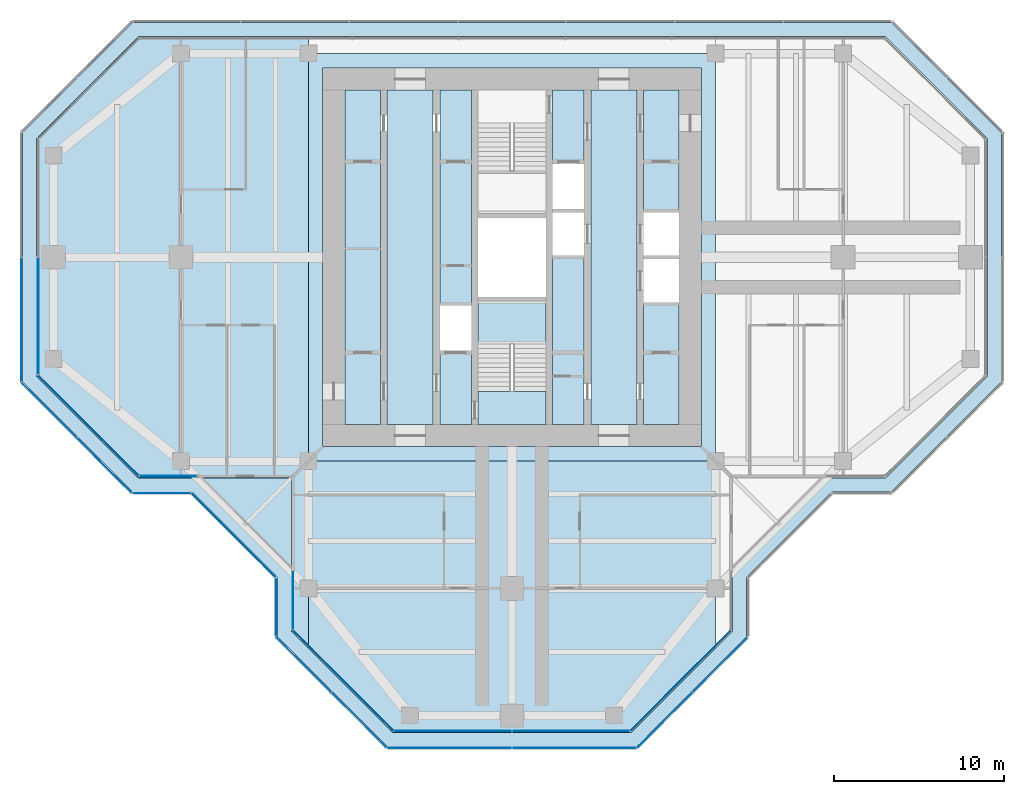
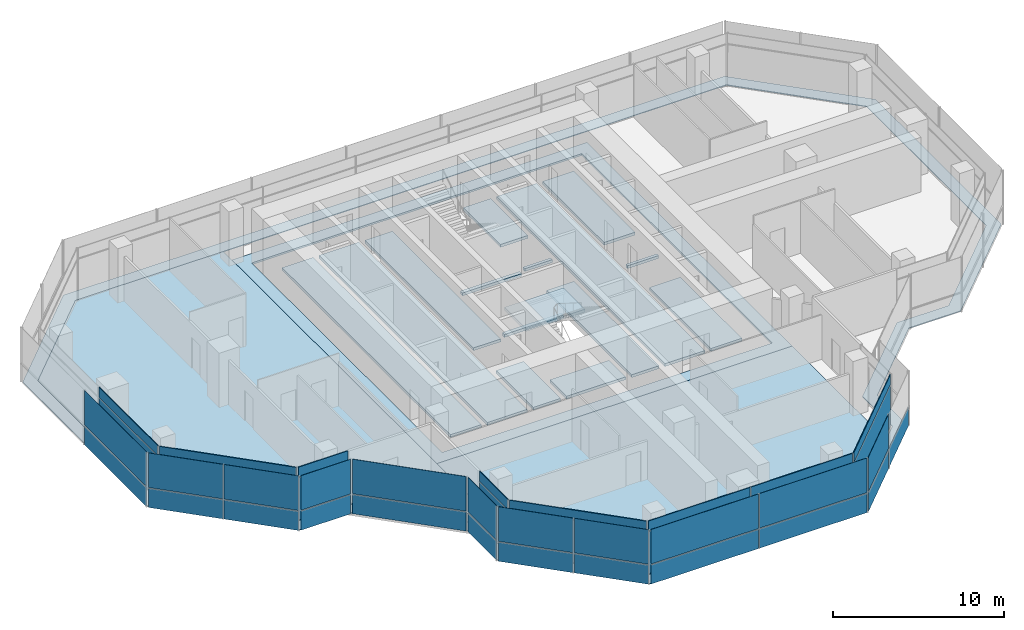
# One storey, part 9 of 16: 40 plates, 7 slabs, 16 elements without a shape of their own.
"""IFC4 building model written with IfcOpenShell, lengths in metres."""

from ifc_helpers import new_model, si_unit, direction, frame, origin, origin_2d, place, context, subcontext, project, spatial, polyline, rectangle, outline, extrude, material, layer, layer_set, type_object, element, aggregate, save


model = new_model("IFC4")

# Units and contexts
model_context = context("Model", 3, precision=1e-05, world=origin(), true_north=direction((0.0, 1.0)))
body_context = subcontext(model_context, "Body", "Model", "MODEL_VIEW")
ifc_project = project(units=[si_unit("LENGTHUNIT", "METRE"), si_unit("AREAUNIT", "SQUARE_METRE"), si_unit("VOLUMEUNIT", "CUBIC_METRE"), si_unit("PLANEANGLEUNIT", "RADIAN"), si_unit("MASSUNIT", "GRAM", prefix="KILO")], contexts=[model_context])

# Site, building, storey
site_placement = place(None, origin())
site = spatial("IfcSite", under=ifc_project, at=site_placement, CompositionType="ELEMENT")
building_placement = place(site_placement, origin())
building = spatial("IfcBuilding", under=site, at=building_placement, Name="Mizan Broadcast Tower", CompositionType="ELEMENT")
storey_placement = place(building_placement, frame((0.0, 0.0, 294.60009765625)))
storey = spatial("IfcBuildingStorey", under=building, at=storey_placement, Name="L70", CompositionType="ELEMENT", Elevation=294.60009765625)

# Plate
ifc_material_1 = material(Name="Aluminium grating", Category="aluminium")
ifc_layer_1 = layer(ifc_material_1, 0.050048828125)
ifc_layer_set_1 = layer_set([ifc_layer_1], Name="Aluminium grating")
plate_type_1 = type_object("IfcPlateType", Name="CAVITY GRATING", PredefinedType="USERDEFINED", material=ifc_layer_set_1)
plate_1_placement = place(storey_placement, frame((0.0, 0.0, -0.050048828125)))
element("IfcPlate", 1, at=plate_1_placement, inside=storey, type_object=plate_type_1, Name="Cavity grating L70", ObjectType="GRATING", PredefinedType="USERDEFINED", context=body_context, shape_type="SweptSolid", body=[
    extrude(outline(polyline([(-22.339599609375, 13.820068359375), (-28.820068359375, 7.339599609375), (-28.820068359375, -7.339599609375), (-22.339599609375, -13.820068359375), (-18.839599609375, -13.820068359375), (-13.820068359375, -18.839599609375), (-13.820068359375, -22.339599609375), (-7.339599609375, -28.820068359375), (7.339599609375, -28.820068359375), (13.820068359375, -22.339599609375), (13.820068359375, -18.839599609375), (18.839599609375, -13.820068359375), (22.339599609375, -13.820068359375), (28.820068359375, -7.339599609375), (28.820068359375, 7.339599609375), (22.339599609375, 13.820068359375), (-22.339599609375, 13.820068359375)]), holes=[polyline([(-18.5, -13.0), (-22.0, -13.0), (-28.0, -7.0), (-28.0, 7.0), (-22.0, 13.0), (22.0, 13.0), (28.0, 7.0), (28.0, -7.0), (22.0, -13.0), (18.5, -13.0), (13.0, -18.5), (13.0, -22.0), (7.0, -28.0), (-7.0, -28.0), (-13.0, -22.0), (-13.0, -18.5), (-18.5, -13.0)])]), origin(), (0.0, 0.0, 1.0), 0.050048828125),
])

# Slabs
ifc_material_2 = material(Name="Concrete C32/40", Category="concrete")
ifc_layer_2 = layer(ifc_material_2, 0.1298828125)
ifc_layer_set_2 = layer_set([ifc_layer_2], Name="Concrete C32/40")
slab_type_1 = type_object("IfcSlabType", Name="COMPOSITE DECK SLAB 130", PredefinedType="FLOOR", material=ifc_layer_set_2)
slab_1_placement = place(storey_placement, frame((0.0, 0.0, -0.130126953125)))
element("IfcSlab", 2, at=slab_1_placement, inside=storey, type_object=slab_type_1, Name="Floor slab L70 centre", PredefinedType="FLOOR", context=body_context, shape_type="SweptSolid", body=[
    extrude(outline(polyline([(-12.0, -12.0), (12.0, -12.0), (12.0, 12.0), (-12.0, 12.0), (-12.0, -12.0)]), holes=[polyline([(-11.14990234375, 11.14990234375), (11.14990234375, 11.14990234375), (11.14990234375, -11.14990234375), (-11.14990234375, -11.14990234375), (-11.14990234375, 11.14990234375)])]), origin(), (0.0, 0.0, 1.0), 0.130126953125),
])
slab_2_placement = place(storey_placement, frame((0.0, 0.0, -0.130126953125)))
element("IfcSlab", 3, at=slab_2_placement, inside=storey, type_object=slab_type_1, Name="Floor slab L70 west arm", PredefinedType="FLOOR", context=body_context, shape_type="SweptSolid", body=[
    extrude(outline(polyline([(-13.0, -22.0), (-12.0, -23.0), (-12.0, 13.0), (-13.0, 13.0), (-22.0, 13.0), (-28.0, 7.0), (-28.0, -7.0), (-22.0, -13.0), (-13.0, -13.0), (-13.0, -22.0)])), origin(), (0.0, 0.0, 1.0), 0.130126953125),
])
slab_3_placement = place(storey_placement, frame((0.0, 0.0, -0.130126953125)))
element("IfcSlab", 4, at=slab_3_placement, inside=storey, type_object=slab_type_1, Name="Floor slab L70 south arm", PredefinedType="FLOOR", context=body_context, shape_type="SweptSolid", body=[
    extrude(outline(polyline([(7.0, -28.0), (12.0, -23.0), (12.0, -12.0), (-12.0, -12.0), (-12.0, -23.0), (-7.0, -28.0), (7.0, -28.0)])), origin(), (0.0, 0.0, 1.0), 0.130126953125),
])
ifc_material_3 = material(Name="Concrete C40/50", Category="concrete")
ifc_layer_3 = layer(ifc_material_3, 0.199951171875)
ifc_layer_set_3 = layer_set([ifc_layer_3], Name="Concrete C40/50")
slab_type_2 = type_object("IfcSlabType", Name="CORE FLOOR 200", PredefinedType="FLOOR", material=ifc_layer_set_3)
slab_4_placement = place(storey_placement, frame((0.0, 0.0, -0.2001953125)))
element("IfcSlab", 5, at=slab_4_placement, inside=storey, type_object=slab_type_2, Name="Core floor L70", PredefinedType="FLOOR", context=body_context, shape_type="SweptSolid", body=[
    extrude(outline(polyline([(-9.85009765625, -9.85009765625), (-7.75, -9.85009765625), (-7.75, 9.85009765625), (-9.85009765625, 9.85009765625), (-9.85009765625, -9.85009765625)])), origin(), (0.0, 0.0, 1.0), 0.2001953125),
    extrude(outline(polyline([(-4.64990234375, 9.85009765625), (-7.35009765625, 9.85009765625), (-7.35009765625, -9.85009765625), (-4.64990234375, -9.85009765625), (-4.64990234375, 9.85009765625)])), origin(), (0.0, 0.0, 1.0), 0.2001953125),
    extrude(outline(polyline([(-4.25, -5.5), (-4.25, -9.85009765625), (-2.39990234375, -9.85009765625), (-2.39990234375, -5.5), (-4.25, -5.5)])), origin(), (0.0, 0.0, 1.0), 0.2001953125),
    extrude(outline(polyline([(-4.25, -2.85009765625), (-2.39990234375, -2.85009765625), (-2.39990234375, 9.85009765625), (-4.25, 9.85009765625), (-4.25, -2.85009765625)])), origin(), (0.0, 0.0, 1.0), 0.2001953125),
    extrude(outline(polyline([(2.0, -2.324951171875), (-2.0, -2.324951171875), (-2.0, -2.574951171875), (2.0, -2.574951171875), (2.0, -2.324951171875)])), origin(), (0.0, 0.0, 1.0), 0.2001953125),
    extrude(outline(polyline([(2.0, 2.574951171875), (-2.0, 2.574951171875), (-2.0, 2.324951171875), (2.0, 2.324951171875), (2.0, 2.574951171875)])), origin(), (0.0, 0.0, 1.0), 0.2001953125),
    extrude(outline(polyline([(4.25, -9.85009765625), (4.25, 0.10009765625), (2.39990234375, 0.10009765625), (2.39990234375, -9.85009765625), (4.25, -9.85009765625)])), origin(), (0.0, 0.0, 1.0), 0.2001953125),
    extrude(outline(polyline([(4.25, 2.64990234375), (4.25, 2.85009765625), (2.39990234375, 2.85009765625), (2.39990234375, 2.64990234375), (4.25, 2.64990234375)])), origin(), (0.0, 0.0, 1.0), 0.2001953125),
    extrude(outline(polyline([(4.25, 5.5), (4.25, 9.85009765625), (2.39990234375, 9.85009765625), (2.39990234375, 5.5), (4.25, 5.5)])), origin(), (0.0, 0.0, 1.0), 0.2001953125),
    extrude(outline(polyline([(4.64990234375, 9.85009765625), (4.64990234375, -9.85009765625), (7.35009765625, -9.85009765625), (7.35009765625, 9.85009765625), (4.64990234375, 9.85009765625)])), origin(), (0.0, 0.0, 1.0), 0.2001953125),
    extrude(outline(polyline([(9.85009765625, -9.85009765625), (9.85009765625, -2.64990234375), (7.75, -2.64990234375), (7.75, -9.85009765625), (9.85009765625, -9.85009765625)])), origin(), (0.0, 0.0, 1.0), 0.2001953125),
    extrude(outline(polyline([(9.85009765625, -0.10009765625), (9.85009765625, 0.10009765625), (7.75, 0.10009765625), (7.75, -0.10009765625), (9.85009765625, -0.10009765625)])), origin(), (0.0, 0.0, 1.0), 0.2001953125),
    extrude(outline(polyline([(7.75, 9.85009765625), (7.75, 2.64990234375), (9.85009765625, 2.64990234375), (9.85009765625, 9.85009765625), (7.75, 9.85009765625)])), origin(), (0.0, 0.0, 1.0), 0.2001953125),
])

# Curtain wall, plate
ifc_material_4 = material(Name="Aluminium framed glazing", Category="aluminium")
curtain_wall_type_1 = type_object("IfcCurtainWallType", Name="INNER SKIN TOP ZONE", PredefinedType="USERDEFINED", material=ifc_material_4)
curtain_wall_1_placement = place(storey_placement, origin())
curtain_wall_1 = element("IfcCurtainWall", 6, at=curtain_wall_1_placement, inside=storey, type_object=curtain_wall_type_1, Name="Inner skin top zone L70 W end", ObjectType="INNER SKIN TOP ZONE", PredefinedType="USERDEFINED")
ifc_material_5 = material(Name="Double glazing, clear low-e", Category="glass")
ifc_layer_4 = layer(ifc_material_5, 0.028076171875)
ifc_layer_set_4 = layer_set([ifc_layer_4], Name="Double glazing, clear low-e")
plate_type_2 = type_object("IfcPlateType", Name="INNER SKIN GLAZING UNIT", PredefinedType="CURTAIN_PANEL", material=ifc_layer_set_4)
plate_2_placement = place(storey_placement, frame((-27.89990234375, -3.46435546875, 0.0), z_axis=(0.0, 0.0, 1.0), x_axis=(0.0, -1.0, 0.0)))
plate_2 = element("IfcPlate", 7, at=plate_2_placement, type_object=plate_type_2, Name="Inner skin top zone L70 W end panel 2.1", PredefinedType="CURTAIN_PANEL", context=body_context, shape_type="SweptSolid", body=[
    extrude(rectangle(XDim=6.86865234375, YDim=0.028076171875, at=origin_2d()), origin(), (0.0, 0.0, 1.0), 3.0),
])

curtain_wall_2_placement = place(storey_placement, origin())
curtain_wall_2 = element("IfcCurtainWall", 8, at=curtain_wall_2_placement, inside=storey, type_object=curtain_wall_type_1, Name="Inner skin top zone L70 W chamfer", ObjectType="INNER SKIN TOP ZONE", PredefinedType="USERDEFINED")
plate_3_placement = place(storey_placement, frame((-24.92919921875, -9.92919921875, 0.0), z_axis=(0.0, 0.0, 1.0), x_axis=(0.707106781187, -0.707106781187, 0.0)))
plate_3 = element("IfcPlate", 9, at=plate_3_placement, type_object=plate_type_2, Name="Inner skin top zone L70 W chamfer panel 1.1", PredefinedType="CURTAIN_PANEL", context=body_context, shape_type="SweptSolid", body=[
    extrude(rectangle(XDim=8.282470703125, YDim=0.028076171875, at=origin_2d()), origin(), (0.0, 0.0, 1.0), 3.0),
])

curtain_wall_3_placement = place(storey_placement, origin())
curtain_wall_3 = element("IfcCurtainWall", 10, at=curtain_wall_3_placement, inside=storey, type_object=curtain_wall_type_1, Name="Inner skin top zone L70 W side", ObjectType="INNER SKIN TOP ZONE", PredefinedType="USERDEFINED")
plate_4_placement = place(storey_placement, frame((-20.229248046875, -12.89990234375, 0.0), z_axis=(0.0, 0.0, 1.0), x_axis=(1.0, 0.0, 0.0)))
plate_4 = element("IfcPlate", 11, at=plate_4_placement, type_object=plate_type_2, Name="Inner skin top zone L70 W side panel 1.1", PredefinedType="CURTAIN_PANEL", context=body_context, shape_type="SweptSolid", body=[
    extrude(rectangle(XDim=3.338623046875, YDim=0.028076171875, at=origin_2d()), origin(), (0.0, 0.0, 1.0), 3.0),
])

curtain_wall_4_placement = place(storey_placement, origin())
curtain_wall_4 = element("IfcCurtainWall", 12, at=curtain_wall_4_placement, inside=storey, type_object=curtain_wall_type_1, Name="Inner skin top zone L70 S side", ObjectType="INNER SKIN TOP ZONE", PredefinedType="USERDEFINED")
plate_5_placement = place(storey_placement, frame((-12.89990234375, -20.229248046875, 0.0), z_axis=(0.0, 0.0, 1.0), x_axis=(0.0, -1.0, 0.0)))
plate_5 = element("IfcPlate", 13, at=plate_5_placement, type_object=plate_type_2, Name="Inner skin top zone L70 S side panel 1.1", PredefinedType="CURTAIN_PANEL", context=body_context, shape_type="SweptSolid", body=[
    extrude(rectangle(XDim=3.338623046875, YDim=0.028076171875, at=origin_2d()), origin(), (0.0, 0.0, 1.0), 3.0),
])

curtain_wall_5_placement = place(storey_placement, origin())
curtain_wall_5 = element("IfcCurtainWall", 14, at=curtain_wall_5_placement, inside=storey, type_object=curtain_wall_type_1, Name="Inner skin top zone L70 S chamfer", ObjectType="INNER SKIN TOP ZONE", PredefinedType="USERDEFINED")
plate_6_placement = place(storey_placement, frame((-9.92919921875, -24.92919921875, 0.0), z_axis=(0.0, 0.0, 1.0), x_axis=(0.707106781187, -0.707106781187, 0.0)))
plate_6 = element("IfcPlate", 15, at=plate_6_placement, type_object=plate_type_2, Name="Inner skin top zone L70 S chamfer panel 1.1", PredefinedType="CURTAIN_PANEL", context=body_context, shape_type="SweptSolid", body=[
    extrude(rectangle(XDim=8.282470703125, YDim=0.028076171875, at=origin_2d()), origin(), (0.0, 0.0, 1.0), 3.0),
])

# Curtain wall, plates
curtain_wall_6_placement = place(storey_placement, origin())
curtain_wall_6 = element("IfcCurtainWall", 16, at=curtain_wall_6_placement, inside=storey, type_object=curtain_wall_type_1, Name="Inner skin top zone L70 S end", ObjectType="INNER SKIN TOP ZONE", PredefinedType="USERDEFINED")
plate_7_placement = place(storey_placement, frame((-3.46435546875, -27.89990234375, 0.0), z_axis=(0.0, 0.0, 1.0), x_axis=(1.0, 0.0, 0.0)))
plate_7 = element("IfcPlate", 17, at=plate_7_placement, type_object=plate_type_2, Name="Inner skin top zone L70 S end panel 1.1", PredefinedType="CURTAIN_PANEL", context=body_context, shape_type="SweptSolid", body=[
    extrude(rectangle(XDim=6.86865234375, YDim=0.028076171875, at=origin_2d()), origin(), (0.0, 0.0, 1.0), 3.0),
])
plate_8_placement = place(storey_placement, frame((3.46435546875, -27.89990234375, 0.0), z_axis=(0.0, 0.0, 1.0), x_axis=(1.0, 0.0, 0.0)))
plate_8 = element("IfcPlate", 18, at=plate_8_placement, type_object=plate_type_2, Name="Inner skin top zone L70 S end panel 2.1", PredefinedType="CURTAIN_PANEL", context=body_context, shape_type="SweptSolid", body=[
    extrude(rectangle(XDim=6.86865234375, YDim=0.028076171875, at=origin_2d()), origin(), (0.0, 0.0, 1.0), 3.0),
])

# Curtain wall, plate
curtain_wall_7_placement = place(storey_placement, origin())
curtain_wall_7 = element("IfcCurtainWall", 19, at=curtain_wall_7_placement, inside=storey, type_object=curtain_wall_type_1, Name="Inner skin top zone L70 S chamfer", ObjectType="INNER SKIN TOP ZONE", PredefinedType="USERDEFINED")
plate_9_placement = place(storey_placement, frame((9.92919921875, -24.92919921875, 0.0), z_axis=(0.0, 0.0, 1.0), x_axis=(0.707106781187, 0.707106781187, 0.0)))
plate_9 = element("IfcPlate", 20, at=plate_9_placement, type_object=plate_type_2, Name="Inner skin top zone L70 S chamfer panel 1.1", PredefinedType="CURTAIN_PANEL", context=body_context, shape_type="SweptSolid", body=[
    extrude(rectangle(XDim=8.282470703125, YDim=0.028076171875, at=origin_2d()), origin(), (0.0, 0.0, 1.0), 3.0),
])

# Plate
ifc_material_6 = material(Name="Insulated aluminium spandrel panel, pale anodised", Category="aluminium")
ifc_layer_5 = layer(ifc_material_6, 0.050048828125)
ifc_layer_set_5 = layer_set([ifc_layer_5], Name="Insulated aluminium spandrel panel, pale anodised")
plate_type_3 = type_object("IfcPlateType", Name="INNER SKIN SPANDREL PANEL", PredefinedType="CURTAIN_PANEL", material=ifc_layer_set_5)
plate_10_placement = place(storey_placement, frame((-27.89990234375, -3.46435546875, 3.059814453125), z_axis=(0.0, 0.0, 1.0), x_axis=(0.0, -1.0, 0.0)))
plate_10 = element("IfcPlate", 21, at=plate_10_placement, type_object=plate_type_3, Name="Inner skin top zone L70 W end panel 2.2", PredefinedType="CURTAIN_PANEL", context=body_context, shape_type="SweptSolid", body=[
    extrude(rectangle(XDim=6.86865234375, YDim=0.050048828125, at=origin_2d()), origin(), (0.0, 0.0, 1.0), 0.7099609375),
])

aggregate(curtain_wall_1, [plate_2, plate_10])

plate_11_placement = place(storey_placement, frame((-24.92919921875, -9.92919921875, 3.059814453125), z_axis=(0.0, 0.0, 1.0), x_axis=(0.707106781187, -0.707106781187, 0.0)))
plate_11 = element("IfcPlate", 22, at=plate_11_placement, type_object=plate_type_3, Name="Inner skin top zone L70 W chamfer panel 1.2", PredefinedType="CURTAIN_PANEL", context=body_context, shape_type="SweptSolid", body=[
    extrude(rectangle(XDim=8.282470703125, YDim=0.050048828125, at=origin_2d()), origin(), (0.0, 0.0, 1.0), 0.7099609375),
])

aggregate(curtain_wall_2, [plate_3, plate_11])

plate_12_placement = place(storey_placement, frame((-20.229248046875, -12.89990234375, 3.059814453125), z_axis=(0.0, 0.0, 1.0), x_axis=(1.0, 0.0, 0.0)))
plate_12 = element("IfcPlate", 23, at=plate_12_placement, type_object=plate_type_3, Name="Inner skin top zone L70 W side panel 1.2", PredefinedType="CURTAIN_PANEL", context=body_context, shape_type="SweptSolid", body=[
    extrude(rectangle(XDim=3.338623046875, YDim=0.050048828125, at=origin_2d()), origin(), (0.0, 0.0, 1.0), 0.7099609375),
])

aggregate(curtain_wall_3, [plate_4, plate_12])

plate_13_placement = place(storey_placement, frame((-12.89990234375, -20.229248046875, 3.059814453125), z_axis=(0.0, 0.0, 1.0), x_axis=(0.0, -1.0, 0.0)))
plate_13 = element("IfcPlate", 24, at=plate_13_placement, type_object=plate_type_3, Name="Inner skin top zone L70 S side panel 1.2", PredefinedType="CURTAIN_PANEL", context=body_context, shape_type="SweptSolid", body=[
    extrude(rectangle(XDim=3.338623046875, YDim=0.050048828125, at=origin_2d()), origin(), (0.0, 0.0, 1.0), 0.7099609375),
])

aggregate(curtain_wall_4, [plate_5, plate_13])

plate_14_placement = place(storey_placement, frame((-9.92919921875, -24.92919921875, 3.059814453125), z_axis=(0.0, 0.0, 1.0), x_axis=(0.707106781187, -0.707106781187, 0.0)))
plate_14 = element("IfcPlate", 25, at=plate_14_placement, type_object=plate_type_3, Name="Inner skin top zone L70 S chamfer panel 1.2", PredefinedType="CURTAIN_PANEL", context=body_context, shape_type="SweptSolid", body=[
    extrude(rectangle(XDim=8.282470703125, YDim=0.050048828125, at=origin_2d()), origin(), (0.0, 0.0, 1.0), 0.7099609375),
])

aggregate(curtain_wall_5, [plate_6, plate_14])

plate_15_placement = place(storey_placement, frame((-3.46435546875, -27.89990234375, 3.059814453125), z_axis=(0.0, 0.0, 1.0), x_axis=(1.0, 0.0, 0.0)))
plate_15 = element("IfcPlate", 26, at=plate_15_placement, type_object=plate_type_3, Name="Inner skin top zone L70 S end panel 1.2", PredefinedType="CURTAIN_PANEL", context=body_context, shape_type="SweptSolid", body=[
    extrude(rectangle(XDim=6.86865234375, YDim=0.050048828125, at=origin_2d()), origin(), (0.0, 0.0, 1.0), 0.7099609375),
])

plate_16_placement = place(storey_placement, frame((3.46435546875, -27.89990234375, 3.059814453125), z_axis=(0.0, 0.0, 1.0), x_axis=(1.0, 0.0, 0.0)))
plate_16 = element("IfcPlate", 27, at=plate_16_placement, type_object=plate_type_3, Name="Inner skin top zone L70 S end panel 2.2", PredefinedType="CURTAIN_PANEL", context=body_context, shape_type="SweptSolid", body=[
    extrude(rectangle(XDim=6.86865234375, YDim=0.050048828125, at=origin_2d()), origin(), (0.0, 0.0, 1.0), 0.7099609375),
])

aggregate(curtain_wall_6, [plate_7, plate_15, plate_8, plate_16])

plate_17_placement = place(storey_placement, frame((9.92919921875, -24.92919921875, 3.059814453125), z_axis=(0.0, 0.0, 1.0), x_axis=(0.707106781187, 0.707106781187, 0.0)))
plate_17 = element("IfcPlate", 28, at=plate_17_placement, type_object=plate_type_3, Name="Inner skin top zone L70 S chamfer panel 1.2", PredefinedType="CURTAIN_PANEL", context=body_context, shape_type="SweptSolid", body=[
    extrude(rectangle(XDim=8.282470703125, YDim=0.050048828125, at=origin_2d()), origin(), (0.0, 0.0, 1.0), 0.7099609375),
])

aggregate(curtain_wall_7, [plate_9, plate_17])

# Curtain wall, plates
ifc_material_7 = material(Name="Aluminium framed glazing", Category="aluminium")
curtain_wall_type_2 = type_object("IfcCurtainWallType", Name="OUTER SKIN", PredefinedType="USERDEFINED", material=ifc_material_7)
curtain_wall_8_placement = place(storey_placement, origin())
curtain_wall_8 = element("IfcCurtainWall", 29, at=curtain_wall_8_placement, inside=storey, type_object=curtain_wall_type_2, Name="Outer skin L70 W chamfer", ObjectType="OUTER SKIN", PredefinedType="USERDEFINED")
ifc_material_8 = material(Name="Laminated clear glass", Category="glass")
ifc_layer_6 = layer(ifc_material_8, 0.02001953125)
ifc_layer_set_6 = layer_set([ifc_layer_6], Name="Laminated clear glass")
plate_type_4 = type_object("IfcPlateType", Name="OUTER SKIN CLEAR GLASS", PredefinedType="CURTAIN_PANEL", material=ifc_layer_set_6)
plate_18_placement = place(storey_placement, frame((-27.254150390625, -9.018798828125, -0.000244140625), z_axis=(0.0, 0.0, 1.0), x_axis=(0.707106781187, -0.707106781187, 0.0)))
plate_18 = element("IfcPlate", 30, at=plate_18_placement, type_object=plate_type_4, Name="Outer skin L70 W chamfer panel 1.1", PredefinedType="CURTAIN_PANEL", context=body_context, shape_type="SweptSolid", body=[
    extrude(rectangle(XDim=4.495361328125, YDim=0.02001953125, at=origin_2d()), origin(), (0.0, 0.0, 1.0), 1.3701171875),
])
plate_19_placement = place(storey_placement, frame((-27.254150390625, -9.018798828125, 1.4296875), z_axis=(0.0, 0.0, 1.0), x_axis=(0.707106781187, -0.707106781187, 0.0)))
plate_19 = element("IfcPlate", 31, at=plate_19_placement, type_object=plate_type_4, Name="Outer skin L70 W chamfer panel 1.2", PredefinedType="CURTAIN_PANEL", context=body_context, shape_type="SweptSolid", body=[
    extrude(rectangle(XDim=4.495361328125, YDim=0.02001953125, at=origin_2d()), origin(), (0.0, 0.0, 1.0), 2.469970703125),
])

curtain_wall_9_placement = place(storey_placement, origin())
curtain_wall_9 = element("IfcCurtainWall", 32, at=curtain_wall_9_placement, inside=storey, type_object=curtain_wall_type_2, Name="Outer skin L70 W side", ObjectType="OUTER SKIN", PredefinedType="USERDEFINED")
plate_20_placement = place(storey_placement, frame((-20.622802734375, -13.89990234375, -0.000244140625), z_axis=(0.0, 0.0, 1.0), x_axis=(1.0, 0.0, 0.0)))
plate_20 = element("IfcPlate", 33, at=plate_20_placement, type_object=plate_type_4, Name="Outer skin L70 W side panel 1.1", PredefinedType="CURTAIN_PANEL", context=body_context, shape_type="SweptSolid", body=[
    extrude(rectangle(XDim=3.340087890625, YDim=0.02001953125, at=origin_2d()), origin(), (0.0, 0.0, 1.0), 1.3701171875),
])
plate_21_placement = place(storey_placement, frame((-20.622802734375, -13.89990234375, 1.4296875), z_axis=(0.0, 0.0, 1.0), x_axis=(1.0, 0.0, 0.0)))
plate_21 = element("IfcPlate", 34, at=plate_21_placement, type_object=plate_type_4, Name="Outer skin L70 W side panel 1.2", PredefinedType="CURTAIN_PANEL", context=body_context, shape_type="SweptSolid", body=[
    extrude(rectangle(XDim=3.340087890625, YDim=0.02001953125, at=origin_2d()), origin(), (0.0, 0.0, 1.0), 2.469970703125),
])
aggregate(curtain_wall_9, [plate_20, plate_21])

curtain_wall_10_placement = place(storey_placement, origin())
curtain_wall_10 = element("IfcCurtainWall", 35, at=curtain_wall_10_placement, inside=storey, type_object=curtain_wall_type_2, Name="Outer skin L70 W chamfer", ObjectType="OUTER SKIN", PredefinedType="USERDEFINED")
plate_22_placement = place(storey_placement, frame((-16.386474609375, -16.386474609375, -0.000244140625), z_axis=(0.0, 0.0, 1.0), x_axis=(0.707106781187, -0.707106781187, 0.0)))
plate_22 = element("IfcPlate", 36, at=plate_22_placement, type_object=plate_type_4, Name="Outer skin L70 W chamfer panel 1.1", PredefinedType="CURTAIN_PANEL", context=body_context, shape_type="SweptSolid", body=[
    extrude(rectangle(XDim=6.87255859375, YDim=0.02001953125, at=origin_2d()), origin(), (0.0, 0.0, 1.0), 1.3701171875),
])
plate_23_placement = place(storey_placement, frame((-16.386474609375, -16.386474609375, 1.4296875), z_axis=(0.0, 0.0, 1.0), x_axis=(0.707106781187, -0.707106781187, 0.0)))
plate_23 = element("IfcPlate", 37, at=plate_23_placement, type_object=plate_type_4, Name="Outer skin L70 W chamfer panel 1.2", PredefinedType="CURTAIN_PANEL", context=body_context, shape_type="SweptSolid", body=[
    extrude(rectangle(XDim=6.87255859375, YDim=0.02001953125, at=origin_2d()), origin(), (0.0, 0.0, 1.0), 2.469970703125),
])
aggregate(curtain_wall_10, [plate_22, plate_23])

curtain_wall_11_placement = place(storey_placement, origin())
curtain_wall_11 = element("IfcCurtainWall", 38, at=curtain_wall_11_placement, inside=storey, type_object=curtain_wall_type_2, Name="Outer skin L70 S side", ObjectType="OUTER SKIN", PredefinedType="USERDEFINED")
plate_24_placement = place(storey_placement, frame((-13.89990234375, -20.622802734375, -0.000244140625), z_axis=(0.0, 0.0, 1.0), x_axis=(0.0, -1.0, 0.0)))
plate_24 = element("IfcPlate", 39, at=plate_24_placement, type_object=plate_type_4, Name="Outer skin L70 S side panel 1.1", PredefinedType="CURTAIN_PANEL", context=body_context, shape_type="SweptSolid", body=[
    extrude(rectangle(XDim=3.340087890625, YDim=0.02001953125, at=origin_2d()), origin(), (0.0, 0.0, 1.0), 1.3701171875),
])
plate_25_placement = place(storey_placement, frame((-13.89990234375, -20.622802734375, 1.4296875), z_axis=(0.0, 0.0, 1.0), x_axis=(0.0, -1.0, 0.0)))
plate_25 = element("IfcPlate", 40, at=plate_25_placement, type_object=plate_type_4, Name="Outer skin L70 S side panel 1.2", PredefinedType="CURTAIN_PANEL", context=body_context, shape_type="SweptSolid", body=[
    extrude(rectangle(XDim=3.340087890625, YDim=0.02001953125, at=origin_2d()), origin(), (0.0, 0.0, 1.0), 2.469970703125),
])
aggregate(curtain_wall_11, [plate_24, plate_25])

curtain_wall_12_placement = place(storey_placement, origin())
curtain_wall_12 = element("IfcCurtainWall", 41, at=curtain_wall_12_placement, inside=storey, type_object=curtain_wall_type_2, Name="Outer skin L70 S chamfer", ObjectType="OUTER SKIN", PredefinedType="USERDEFINED")
plate_26_placement = place(storey_placement, frame((-12.254150390625, -24.018798828125, -0.000244140625), z_axis=(0.0, 0.0, 1.0), x_axis=(0.707106781187, -0.707106781187, 0.0)))
plate_26 = element("IfcPlate", 42, at=plate_26_placement, type_object=plate_type_4, Name="Outer skin L70 S chamfer panel 1.1", PredefinedType="CURTAIN_PANEL", context=body_context, shape_type="SweptSolid", body=[
    extrude(rectangle(XDim=4.495361328125, YDim=0.02001953125, at=origin_2d()), origin(), (0.0, 0.0, 1.0), 1.3701171875),
])
plate_27_placement = place(storey_placement, frame((-12.254150390625, -24.018798828125, 1.4296875), z_axis=(0.0, 0.0, 1.0), x_axis=(0.707106781187, -0.707106781187, 0.0)))
plate_27 = element("IfcPlate", 43, at=plate_27_placement, type_object=plate_type_4, Name="Outer skin L70 S chamfer panel 1.2", PredefinedType="CURTAIN_PANEL", context=body_context, shape_type="SweptSolid", body=[
    extrude(rectangle(XDim=4.495361328125, YDim=0.02001953125, at=origin_2d()), origin(), (0.0, 0.0, 1.0), 2.469970703125),
])

curtain_wall_13_placement = place(storey_placement, origin())
curtain_wall_13 = element("IfcCurtainWall", 44, at=curtain_wall_13_placement, inside=storey, type_object=curtain_wall_type_2, Name="Outer skin L70 S end", ObjectType="OUTER SKIN", PredefinedType="USERDEFINED")
plate_28_placement = place(storey_placement, frame((-3.66650390625, -28.89990234375, -0.000244140625), z_axis=(0.0, 0.0, 1.0), x_axis=(1.0, 0.0, 0.0)))
plate_28 = element("IfcPlate", 45, at=plate_28_placement, type_object=plate_type_4, Name="Outer skin L70 S end panel 1.1", PredefinedType="CURTAIN_PANEL", context=body_context, shape_type="SweptSolid", body=[
    extrude(rectangle(XDim=7.252685546875, YDim=0.02001953125, at=origin_2d()), origin(), (0.0, 0.0, 1.0), 1.3701171875),
])
plate_29_placement = place(storey_placement, frame((-3.66650390625, -28.89990234375, 1.4296875), z_axis=(0.0, 0.0, 1.0), x_axis=(1.0, 0.0, 0.0)))
plate_29 = element("IfcPlate", 46, at=plate_29_placement, type_object=plate_type_4, Name="Outer skin L70 S end panel 1.2", PredefinedType="CURTAIN_PANEL", context=body_context, shape_type="SweptSolid", body=[
    extrude(rectangle(XDim=7.252685546875, YDim=0.02001953125, at=origin_2d()), origin(), (0.0, 0.0, 1.0), 2.469970703125),
])

curtain_wall_14_placement = place(storey_placement, origin())
curtain_wall_14 = element("IfcCurtainWall", 47, at=curtain_wall_14_placement, inside=storey, type_object=curtain_wall_type_2, Name="Outer skin L70 S chamfer", ObjectType="OUTER SKIN", PredefinedType="USERDEFINED")
plate_30_placement = place(storey_placement, frame((9.018798828125, -27.254150390625, -0.000244140625), z_axis=(0.0, 0.0, 1.0), x_axis=(0.707106781187, 0.707106781187, 0.0)))
plate_30 = element("IfcPlate", 48, at=plate_30_placement, type_object=plate_type_4, Name="Outer skin L70 S chamfer panel 1.1", PredefinedType="CURTAIN_PANEL", context=body_context, shape_type="SweptSolid", body=[
    extrude(rectangle(XDim=4.495361328125, YDim=0.02001953125, at=origin_2d()), origin(), (0.0, 0.0, 1.0), 1.3701171875),
])
plate_31_placement = place(storey_placement, frame((9.018798828125, -27.254150390625, 1.4296875), z_axis=(0.0, 0.0, 1.0), x_axis=(0.707106781187, 0.707106781187, 0.0)))
plate_31 = element("IfcPlate", 49, at=plate_31_placement, type_object=plate_type_4, Name="Outer skin L70 S chamfer panel 1.2", PredefinedType="CURTAIN_PANEL", context=body_context, shape_type="SweptSolid", body=[
    extrude(rectangle(XDim=4.495361328125, YDim=0.02001953125, at=origin_2d()), origin(), (0.0, 0.0, 1.0), 2.469970703125),
])

# Plate
ifc_material_9 = material(Name="Perforated aluminium, pale anodised", Category="aluminium")
ifc_layer_7 = layer(ifc_material_9, 0.011962890625)
ifc_layer_set_7 = layer_set([ifc_layer_7], Name="Perforated aluminium, pale anodised")
plate_type_5 = type_object("IfcPlateType", Name="OUTER SKIN PERFORATED SCREEN", PredefinedType="USERDEFINED", material=ifc_layer_set_7)
plate_32_placement = place(storey_placement, frame((-24.018798828125, -12.254150390625, -0.000244140625), z_axis=(0.0, 0.0, 1.0), x_axis=(0.707106781187, -0.707106781187, 0.0)))
plate_32 = element("IfcPlate", 50, at=plate_32_placement, type_object=plate_type_5, Name="Outer skin L70 W chamfer panel 2.1", ObjectType="SCREEN", PredefinedType="USERDEFINED", context=body_context, shape_type="SweptSolid", body=[
    extrude(rectangle(XDim=4.495361328125, YDim=0.011962890625, at=origin_2d()), origin(), (0.0, 0.0, 1.0), 1.3701171875),
])

plate_33_placement = place(storey_placement, frame((-24.018798828125, -12.254150390625, 1.4296875), z_axis=(0.0, 0.0, 1.0), x_axis=(0.707106781187, -0.707106781187, 0.0)))
plate_33 = element("IfcPlate", 51, at=plate_33_placement, type_object=plate_type_5, Name="Outer skin L70 W chamfer panel 2.2", ObjectType="SCREEN", PredefinedType="USERDEFINED", context=body_context, shape_type="SweptSolid", body=[
    extrude(rectangle(XDim=4.495361328125, YDim=0.011962890625, at=origin_2d()), origin(), (0.0, 0.0, 1.0), 2.469970703125),
])

aggregate(curtain_wall_8, [plate_18, plate_19, plate_32, plate_33])

plate_34_placement = place(storey_placement, frame((-9.018798828125, -27.254150390625, -0.000244140625), z_axis=(0.0, 0.0, 1.0), x_axis=(0.707106781187, -0.707106781187, 0.0)))
plate_34 = element("IfcPlate", 52, at=plate_34_placement, type_object=plate_type_5, Name="Outer skin L70 S chamfer panel 2.1", ObjectType="SCREEN", PredefinedType="USERDEFINED", context=body_context, shape_type="SweptSolid", body=[
    extrude(rectangle(XDim=4.495361328125, YDim=0.011962890625, at=origin_2d()), origin(), (0.0, 0.0, 1.0), 1.3701171875),
])

plate_35_placement = place(storey_placement, frame((-9.018798828125, -27.254150390625, 1.4296875), z_axis=(0.0, 0.0, 1.0), x_axis=(0.707106781187, -0.707106781187, 0.0)))
plate_35 = element("IfcPlate", 53, at=plate_35_placement, type_object=plate_type_5, Name="Outer skin L70 S chamfer panel 2.2", ObjectType="SCREEN", PredefinedType="USERDEFINED", context=body_context, shape_type="SweptSolid", body=[
    extrude(rectangle(XDim=4.495361328125, YDim=0.011962890625, at=origin_2d()), origin(), (0.0, 0.0, 1.0), 2.469970703125),
])

aggregate(curtain_wall_12, [plate_26, plate_27, plate_34, plate_35])

plate_36_placement = place(storey_placement, frame((3.66650390625, -28.89990234375, -0.000244140625), z_axis=(0.0, 0.0, 1.0), x_axis=(1.0, 0.0, 0.0)))
plate_36 = element("IfcPlate", 54, at=plate_36_placement, type_object=plate_type_5, Name="Outer skin L70 S end panel 2.1", ObjectType="SCREEN", PredefinedType="USERDEFINED", context=body_context, shape_type="SweptSolid", body=[
    extrude(rectangle(XDim=7.252685546875, YDim=0.011962890625, at=origin_2d()), origin(), (0.0, 0.0, 1.0), 1.3701171875),
])

plate_37_placement = place(storey_placement, frame((3.66650390625, -28.89990234375, 1.4296875), z_axis=(0.0, 0.0, 1.0), x_axis=(1.0, 0.0, 0.0)))
plate_37 = element("IfcPlate", 55, at=plate_37_placement, type_object=plate_type_5, Name="Outer skin L70 S end panel 2.2", ObjectType="SCREEN", PredefinedType="USERDEFINED", context=body_context, shape_type="SweptSolid", body=[
    extrude(rectangle(XDim=7.252685546875, YDim=0.011962890625, at=origin_2d()), origin(), (0.0, 0.0, 1.0), 2.469970703125),
])

aggregate(curtain_wall_13, [plate_28, plate_29, plate_36, plate_37])

plate_38_placement = place(storey_placement, frame((12.254150390625, -24.018798828125, -0.000244140625), z_axis=(0.0, 0.0, 1.0), x_axis=(0.707106781187, 0.707106781187, 0.0)))
plate_38 = element("IfcPlate", 56, at=plate_38_placement, type_object=plate_type_5, Name="Outer skin L70 S chamfer panel 2.1", ObjectType="SCREEN", PredefinedType="USERDEFINED", context=body_context, shape_type="SweptSolid", body=[
    extrude(rectangle(XDim=4.495361328125, YDim=0.011962890625, at=origin_2d()), origin(), (0.0, 0.0, 1.0), 1.3701171875),
])

aggregate(curtain_wall_14, [plate_30, plate_31, plate_38])

# Curtain wall, plates
curtain_wall_15_placement = place(storey_placement, origin())
curtain_wall_15 = element("IfcCurtainWall", 57, at=curtain_wall_15_placement, inside=storey, type_object=curtain_wall_type_2, Name="Outer skin L70 W end", ObjectType="OUTER SKIN", PredefinedType="USERDEFINED")
plate_39_placement = place(storey_placement, frame((-28.89990234375, -3.66650390625, -0.000244140625), z_axis=(0.0, 0.0, 1.0), x_axis=(0.0, -1.0, 0.0)))
plate_39 = element("IfcPlate", 58, at=plate_39_placement, type_object=plate_type_5, Name="Outer skin L70 W end panel 2.1", ObjectType="SCREEN", PredefinedType="USERDEFINED", context=body_context, shape_type="SweptSolid", body=[
    extrude(rectangle(XDim=7.252685546875, YDim=0.011962890625, at=origin_2d()), origin(), (0.0, 0.0, 1.0), 1.3701171875),
])
plate_40_placement = place(storey_placement, frame((-28.89990234375, -3.66650390625, 1.4296875), z_axis=(0.0, 0.0, 1.0), x_axis=(0.0, -1.0, 0.0)))
plate_40 = element("IfcPlate", 59, at=plate_40_placement, type_object=plate_type_5, Name="Outer skin L70 W end panel 2.2", ObjectType="SCREEN", PredefinedType="USERDEFINED", context=body_context, shape_type="SweptSolid", body=[
    extrude(rectangle(XDim=7.252685546875, YDim=0.011962890625, at=origin_2d()), origin(), (0.0, 0.0, 1.0), 2.469970703125),
])
aggregate(curtain_wall_15, [plate_39, plate_40])

# Stair, slabs
ifc_material_10 = material(Name="Concrete C40/50", Category="concrete")
stair_type = type_object("IfcStairType", Name="EXIT STAIR", PredefinedType="HALF_TURN_STAIR", material=ifc_material_10)
stair_placement = place(storey_placement, origin())
stair = element("IfcStair", 60, at=stair_placement, inside=storey, type_object=stair_type, Name="Stair A L70", PredefinedType="HALF_TURN_STAIR")
ifc_material_11 = material(Name="Concrete C40/50", Category="concrete")
ifc_layer_8 = layer(ifc_material_11, 0.199951171875)
ifc_layer_set_8 = layer_set([ifc_layer_8], Name="Concrete C40/50")
slab_type_3 = type_object("IfcSlabType", Name="STAIR LANDING 200", PredefinedType="LANDING", material=ifc_layer_set_8)
slab_5_placement = place(storey_placement, frame((0.0, 0.0, -0.2001953125)))
slab_5 = element("IfcSlab", 61, at=slab_5_placement, type_object=slab_type_3, Name="A landing 1", PredefinedType="LANDING", context=body_context, shape_type="SweptSolid", body=[
    extrude(outline(polyline([(-2.0, -9.85009765625), (-2.0, -7.89990234375), (2.0, -7.89990234375), (2.0, -9.85009765625), (-2.0, -9.85009765625)])), origin(), (0.0, 0.0, 1.0), 0.2001953125),
])
slab_6_placement = place(storey_placement, frame((0.0, 0.0, 1.75)))
slab_6 = element("IfcSlab", 62, at=slab_6_placement, type_object=slab_type_3, Name="A landing 2", PredefinedType="LANDING", context=body_context, shape_type="SweptSolid", body=[
    extrude(outline(polyline([(-2.0, -5.10009765625), (-2.0, -2.574951171875), (2.0, -2.574951171875), (2.0, -5.10009765625), (-2.0, -5.10009765625)])), origin(), (0.0, 0.0, 1.0), 0.199951171875),
])
aggregate(stair, [slab_5, slab_6])

# Slab
ifc_material_12 = material(Name="Concrete C32/40", Category="concrete")
ifc_layer_9 = layer(ifc_material_12, 0.1298828125)
ifc_layer_set_9 = layer_set([ifc_layer_9], Name="Concrete C32/40")
slab_type_4 = type_object("IfcSlabType", Name="WINTER GARDEN SLAB 130", PredefinedType="FLOOR", material=ifc_layer_set_9)
slab_7_placement = place(storey_placement, frame((0.0, 0.0, -0.130126953125)))
element("IfcSlab", 63, at=slab_7_placement, inside=storey, type_object=slab_type_4, Name="Winter garden slab L70 W", PredefinedType="FLOOR", context=body_context, shape_type="SweptSolid", body=[
    extrude(outline(polyline([(-13.0, -13.0), (-18.5, -13.0), (-13.0, -18.5), (-13.0, -13.0)])), origin(), (0.0, 0.0, 1.0), 0.130126953125),
])

save(model, "model.ifc")
